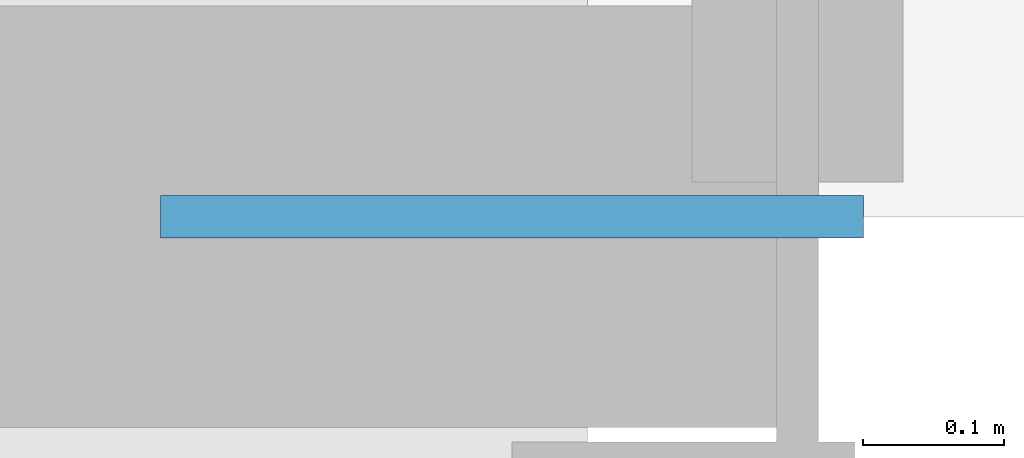
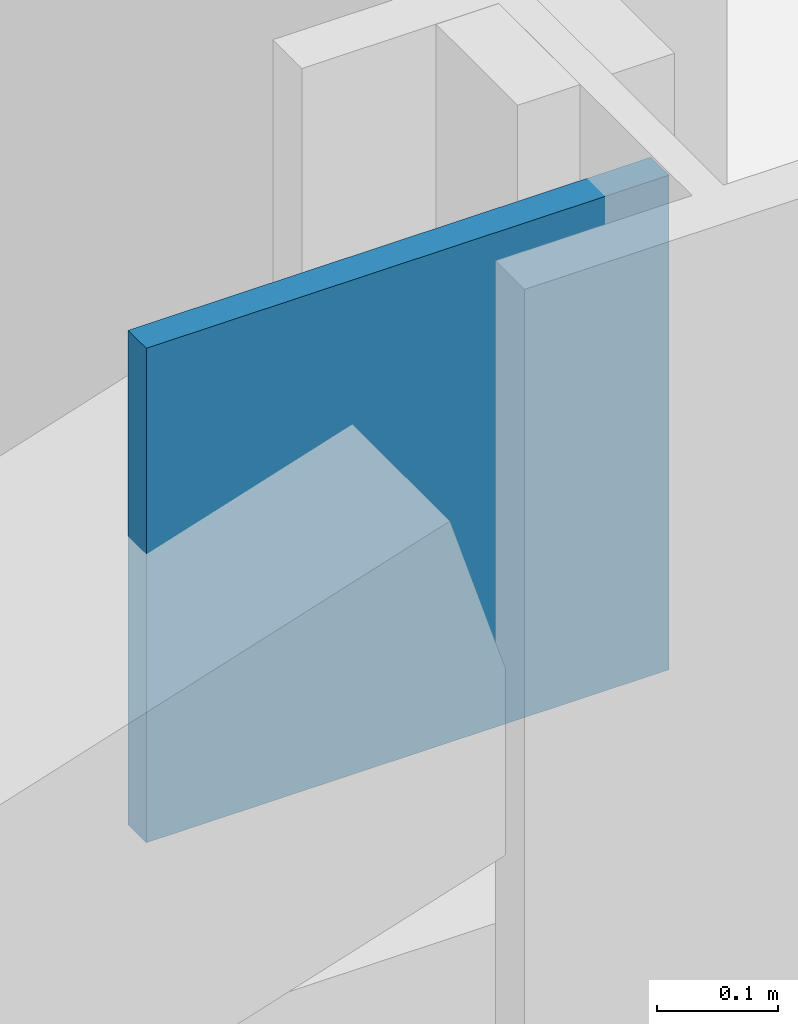
# One storey, part 18 of 27: 1 discrete accessory.
"""IFC4 building model written with IfcOpenShell, lengths in metres."""

from ifc_helpers import new_model, si_unit, direction, frame, origin, origin_2d, place, context, subcontext, project, spatial, rectangle, extrude, material, layer, layer_set, type_object, element, save


model = new_model("IFC4")

# Units and contexts
model_context = context("Model", 3, precision=1e-05, world=origin(), true_north=direction((0.0, 1.0)))
body_context = subcontext(model_context, "Body", "Model", "MODEL_VIEW")
ifc_project = project(units=[si_unit("LENGTHUNIT", "METRE"), si_unit("AREAUNIT", "SQUARE_METRE"), si_unit("VOLUMEUNIT", "CUBIC_METRE"), si_unit("PLANEANGLEUNIT", "RADIAN"), si_unit("MASSUNIT", "GRAM", prefix="KILO")], contexts=[model_context])

# Site, building, storey
site_placement = place(None, origin())
site = spatial("IfcSite", under=ifc_project, at=site_placement, CompositionType="ELEMENT")
building_placement = place(site_placement, origin())
building = spatial("IfcBuilding", under=site, at=building_placement, Name="Mahtab Terrace Research Tower", CompositionType="ELEMENT")
storey_placement = place(building_placement, frame((0.0, 0.0, 178.199951171875)))
storey = spatial("IfcBuildingStorey", under=building, at=storey_placement, Name="L42", CompositionType="ELEMENT", Elevation=178.199951171875)

# Discrete accessory
ifc_material = material(Name="Steel ASTM A992 Gr 50", Category="steel")
ifc_layer = layer(ifc_material, 0.030029296875)
ifc_layer_set = layer_set([ifc_layer], Name="Gusset plate 500x500x30")
discrete_accessory_type = type_object("IfcDiscreteAccessoryType", Name="Gusset plate 500x500x30", PredefinedType="USERDEFINED", material=ifc_layer_set)
discrete_accessory_placement = place(storey_placement, frame((5.796875, -23.0, 2.870849609375), z_axis=(0.0, 0.0, 1.0), x_axis=(1.0, 0.0, 0.0)))
element("IfcDiscreteAccessory", 1, at=discrete_accessory_placement, inside=storey, type_object=discrete_accessory_type, Name="Gusset plate", ObjectType="GUSSET PLATE", PredefinedType="USERDEFINED", context=body_context, shape_type="SweptSolid", body=[
    extrude(rectangle(XDim=0.5, YDim=0.030029296875, at=origin_2d()), origin(), (0.0, 0.0, 1.0), 0.5),
])

save(model, "model.ifc")
